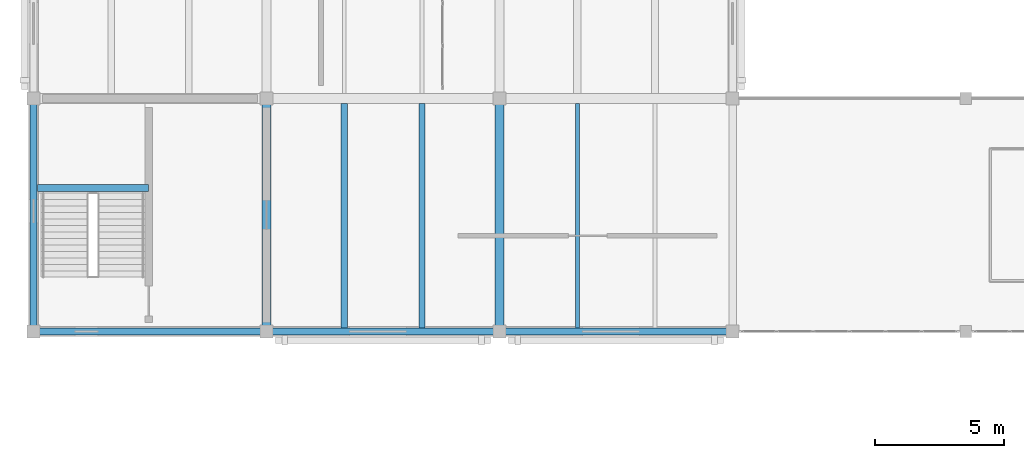
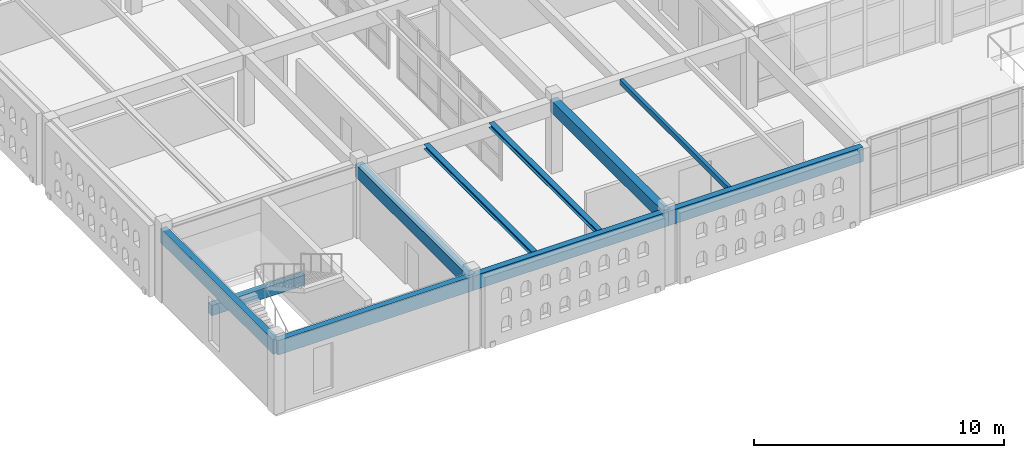
# One storey, part 3 of 156: 10 beams.
"""IFC4 building model written with IfcOpenShell, lengths in metres."""

from ifc_helpers import new_model, si_unit, direction, frame, origin, origin_2d, place, context, subcontext, project, spatial, rectangle, hollow_rectangle, i_section, extrude, material, material_profile, profile_set, type_object, element, save


model = new_model("IFC4")

# Units and contexts
model_context = context("Model", 3, precision=1e-05, world=origin(), true_north=direction((0.0, 1.0)))
body_context = subcontext(model_context, "Body", "Model", "MODEL_VIEW")
ifc_project = project(units=[si_unit("LENGTHUNIT", "METRE"), si_unit("AREAUNIT", "SQUARE_METRE"), si_unit("VOLUMEUNIT", "CUBIC_METRE"), si_unit("PLANEANGLEUNIT", "RADIAN"), si_unit("MASSUNIT", "GRAM", prefix="KILO")], contexts=[model_context])

# Site, building, storey
site_placement = place(None, origin())
site = spatial("IfcSite", under=ifc_project, at=site_placement, CompositionType="ELEMENT")
building_placement = place(site_placement, origin())
building = spatial("IfcBuilding", under=site, at=building_placement, Name="Ornek Quay Market", CompositionType="ELEMENT")
storey_placement = place(building_placement, frame((0.0, 0.0, 4.5)))
storey = spatial("IfcBuildingStorey", under=building, at=storey_placement, Name="L01", CompositionType="ELEMENT", Elevation=4.5)

# Beams
ifc_material_1 = material(Name="Concrete C35/45", Category="concrete")
ifc_material_profile_1 = material_profile(ifc_material_1, rectangle(XDim=0.35009765625, YDim=0.60009765625, at=origin_2d()), Name="RC 350x600", Category="concrete")
ifc_profile_set_1 = profile_set([ifc_material_profile_1], Name="Concrete C35/45")
beam_type_1 = type_object("IfcBeamType", Name="BM-RF-350x600", PredefinedType="BEAM", material=ifc_profile_set_1)
for number, where, z_axis, x_axis, name in (
    (1, (9.0, 20.0, 3.179931640625), (0.0, 1.0, 0.0), (-1.0, 0.0, 0.0), "Primary beam B-RF1-001"),
    (2, (18.0, 20.0, 3.179931640625), (0.0, 1.0, 0.0), (-1.0, 0.0, 0.0), "Primary beam B-RF1-006"),
):
    element("IfcBeam", number, at=place(storey_placement, frame(where, z_axis=z_axis, x_axis=x_axis)), inside=storey, type_object=beam_type_1, Name=name, PredefinedType="BEAM", context=body_context, shape_type="SweptSolid", body=[
        extrude(rectangle(XDim=0.35009765625, YDim=0.60009765625, at=origin_2d()), origin(), (0.0, 0.0, 1.0), 9.0),
    ])
ifc_material_2 = material(Name="Steel S355", Category="steel")
ifc_material_profile_2 = material_profile(ifc_material_2, hollow_rectangle(XDim=0.14990234375, YDim=0.25, WallThickness=0.010009765625, at=origin_2d()), Name="RHS 250x150x10", Category="steel")
ifc_profile_set_2 = profile_set([ifc_material_profile_2], Name="Steel S355")
beam_type_2 = type_object("IfcBeamType", Name="BM-RHS-RHS250x150x10", PredefinedType="BEAM", material=ifc_profile_set_2)
beam_1_placement = place(storey_placement, frame((21.0, 20.132080078125, 3.35498046875), z_axis=(0.0, 1.0, 0.0), x_axis=(-1.0, 0.0, 0.0)))
element("IfcBeam", 3, at=beam_1_placement, inside=storey, type_object=beam_type_2, Name="Secondary joist SR-05-007", PredefinedType="BEAM", context=body_context, shape_type="SweptSolid", body=[
    extrude(hollow_rectangle(XDim=0.14990234375, YDim=0.25, WallThickness=0.010009765625, at=origin_2d()), origin(), (0.0, 0.0, 1.0), 8.676025390625),
])
ifc_material_profile_3 = material_profile(ifc_material_1, rectangle(XDim=0.280029296875, YDim=0.5, at=origin_2d()), Name="RC 280x500", Category="concrete")
ifc_profile_set_3 = profile_set([ifc_material_profile_3], Name="Concrete C35/45")
beam_type_3 = type_object("IfcBeamType", Name="BM-SEC-280x500", PredefinedType="JOIST", material=ifc_profile_set_3)
beam_2_placement = place(storey_placement, frame((0.14990234375, 25.5419921875, 1.534912109375), z_axis=(1.0, 0.0, 0.0), x_axis=(0.0, 1.0, 0.0)))
element("IfcBeam", 4, at=beam_2_placement, inside=storey, type_object=beam_type_3, Name="Stair landing beam BL-03", PredefinedType="JOIST", context=body_context, shape_type="SweptSolid", body=[
    extrude(rectangle(XDim=0.280029296875, YDim=0.5, at=origin_2d()), origin(), (0.0, 0.0, 1.0), 4.300048828125),
])
ifc_material_profile_4 = material_profile(ifc_material_1, rectangle(XDim=0.280029296875, YDim=0.699951171875, at=origin_2d()), Name="RC 280x700", Category="concrete")
ifc_profile_set_4 = profile_set([ifc_material_profile_4], Name="Concrete C35/45")
beam_type_4 = type_object("IfcBeamType", Name="BM-SPN-280x700", PredefinedType="SPANDREL", material=ifc_profile_set_4)
for number, where, z_axis, x_axis, name in (
    (5, (0.0, 20.0, 3.1298828125), (1.0, 0.0, 0.0), (0.0, 1.0, 0.0), "Primary beam B-SP2-001"),
    (6, (9.0, 20.0, 3.1298828125), (1.0, 0.0, 0.0), (0.0, 1.0, 0.0), "Primary beam B-SP2-002"),
    (7, (18.0, 20.0, 3.1298828125), (1.0, 0.0, 0.0), (0.0, 1.0, 0.0), "Primary beam B-SP2-003"),
    (8, (0.0, 20.0, 3.1298828125), (0.0, 1.0, 0.0), (-1.0, 0.0, 0.0), "Primary beam B-SP2-007"),
):
    element("IfcBeam", number, at=place(storey_placement, frame(where, z_axis=z_axis, x_axis=x_axis)), inside=storey, type_object=beam_type_4, Name=name, PredefinedType="SPANDREL", context=body_context, shape_type="SweptSolid", body=[
        extrude(rectangle(XDim=0.280029296875, YDim=0.699951171875, at=origin_2d()), origin(), (0.0, 0.0, 1.0), 9.0),
    ])
ifc_material_profile_5 = material_profile(ifc_material_2, i_section(OverallWidth=0.239990234375, OverallDepth=0.22998046875, WebThickness=0.007568359375, FlangeThickness=0.011962890625, FilletRadius=0.02099609375, at=origin_2d()), Name="HEA 240", Category="steel")
ifc_profile_set_5 = profile_set([ifc_material_profile_5], Name="Steel S355")
beam_type_5 = type_object("IfcBeamType", Name="BM-STL-HEA240", PredefinedType="BEAM", material=ifc_profile_set_5)
for number, where, z_axis, x_axis, name in (
    (9, (12.0, 20.132080078125, 3.364990234375), (0.0, 1.0, 0.0), (-1.0, 0.0, 0.0), "Secondary joist SB-14-005"),
    (10, (15.0, 20.132080078125, 3.364990234375), (0.0, 1.0, 0.0), (-1.0, 0.0, 0.0), "Secondary joist SB-14-006"),
):
    element("IfcBeam", number, at=place(storey_placement, frame(where, z_axis=z_axis, x_axis=x_axis)), inside=storey, type_object=beam_type_5, Name=name, PredefinedType="BEAM", context=body_context, shape_type="SweptSolid", body=[
        extrude(i_section(OverallWidth=0.239990234375, OverallDepth=0.22998046875, WebThickness=0.007568359375, FlangeThickness=0.011962890625, FilletRadius=0.02099609375, at=origin_2d()), origin(), (0.0, 0.0, 1.0), 8.676025390625),
    ])

save(model, "model.ifc")
